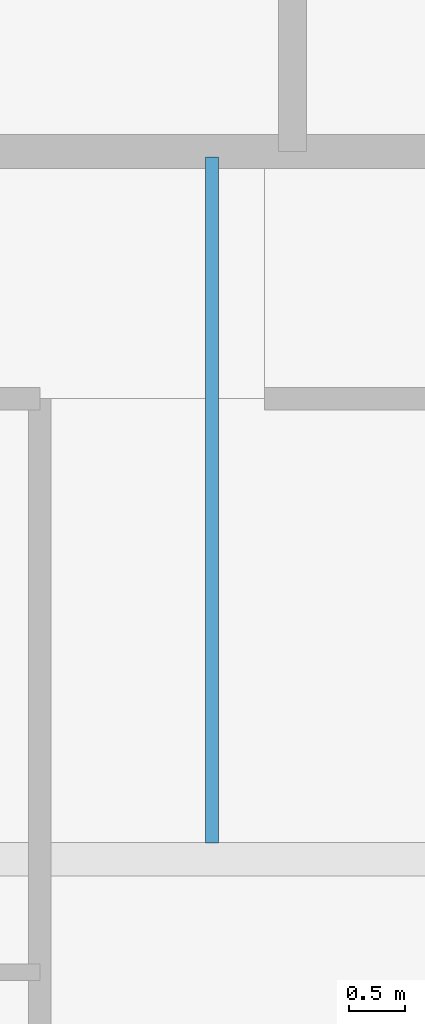
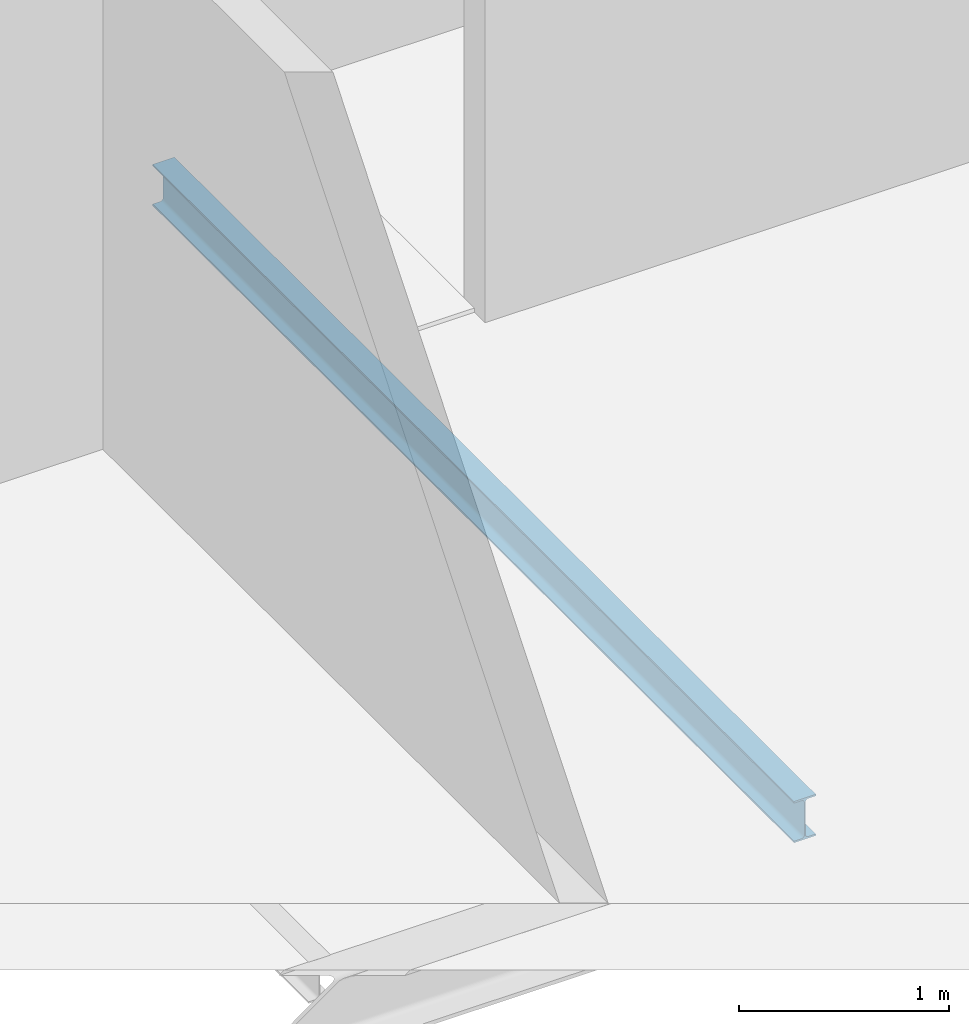
# One storey, part 8 of 17: 1 beam.
"""IFC4 building model written with IfcOpenShell, lengths in metres."""

from ifc_helpers import new_model, si_unit, direction, frame, origin, origin_2d, place, context, subcontext, project, spatial, i_section, extrude, material, material_profile, profile_set, type_object, element, save


model = new_model("IFC4")

# Units and contexts
model_context = context("Model", 3, precision=1e-05, world=origin(), true_north=direction((0.0, 1.0)))
body_context = subcontext(model_context, "Body", "Model", "MODEL_VIEW")
ifc_project = project(units=[si_unit("LENGTHUNIT", "METRE"), si_unit("AREAUNIT", "SQUARE_METRE"), si_unit("VOLUMEUNIT", "CUBIC_METRE"), si_unit("PLANEANGLEUNIT", "RADIAN"), si_unit("MASSUNIT", "GRAM", prefix="KILO")], contexts=[model_context])

# Site, building, storey
site_placement = place(None, origin())
site = spatial("IfcSite", under=ifc_project, at=site_placement, CompositionType="ELEMENT")
building_placement = place(site_placement, origin())
building = spatial("IfcBuilding", under=site, at=building_placement, Name="Catumbela Crestline Tower", CompositionType="ELEMENT")
storey_placement = place(building_placement, frame((0.0, 0.0, 283.0)))
storey = spatial("IfcBuildingStorey", under=building, at=storey_placement, Name="L73", CompositionType="ELEMENT", Elevation=283.0)

# Beam
ifc_material = material(Name="Structural steel S355J2", Category="steel")
ifc_material_profile = material_profile(ifc_material, i_section(OverallWidth=0.12, OverallDepth=0.24, WebThickness=0.0062, FlangeThickness=0.0098, FilletRadius=0.015, at=origin_2d()), Name="IPE 240")
ifc_profile_set = profile_set([ifc_material_profile], Name="Structural steel S355J2")
beam_type = type_object("IfcBeamType", Name="BJ-IPE240", PredefinedType="JOIST", material=ifc_profile_set)
beam_placement = place(storey_placement, frame((21.333, 24.647, -0.38), z_axis=(0.0, 1.0, 0.0), x_axis=(-1.0, 0.0, 0.0)))
element("IfcBeam", 1, at=beam_placement, inside=storey, type_object=beam_type, Name="L73 Joist JS-L73-SP13", PredefinedType="JOIST", context=body_context, shape_type="SweptSolid", body=[
    extrude(i_section(OverallWidth=0.12, OverallDepth=0.24, WebThickness=0.0062, FlangeThickness=0.0098, FilletRadius=0.015, at=origin_2d()), origin(), (0.0, 0.0, 1.0), 6.103),
])

save(model, "model.ifc")
